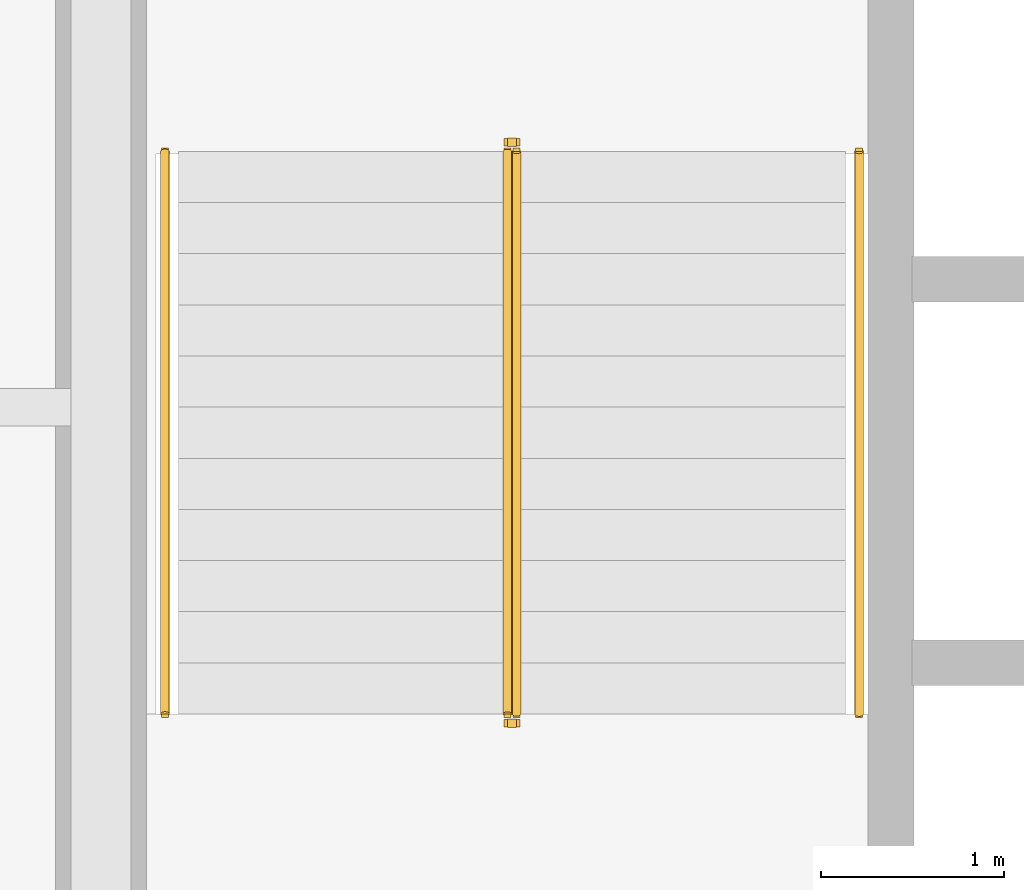
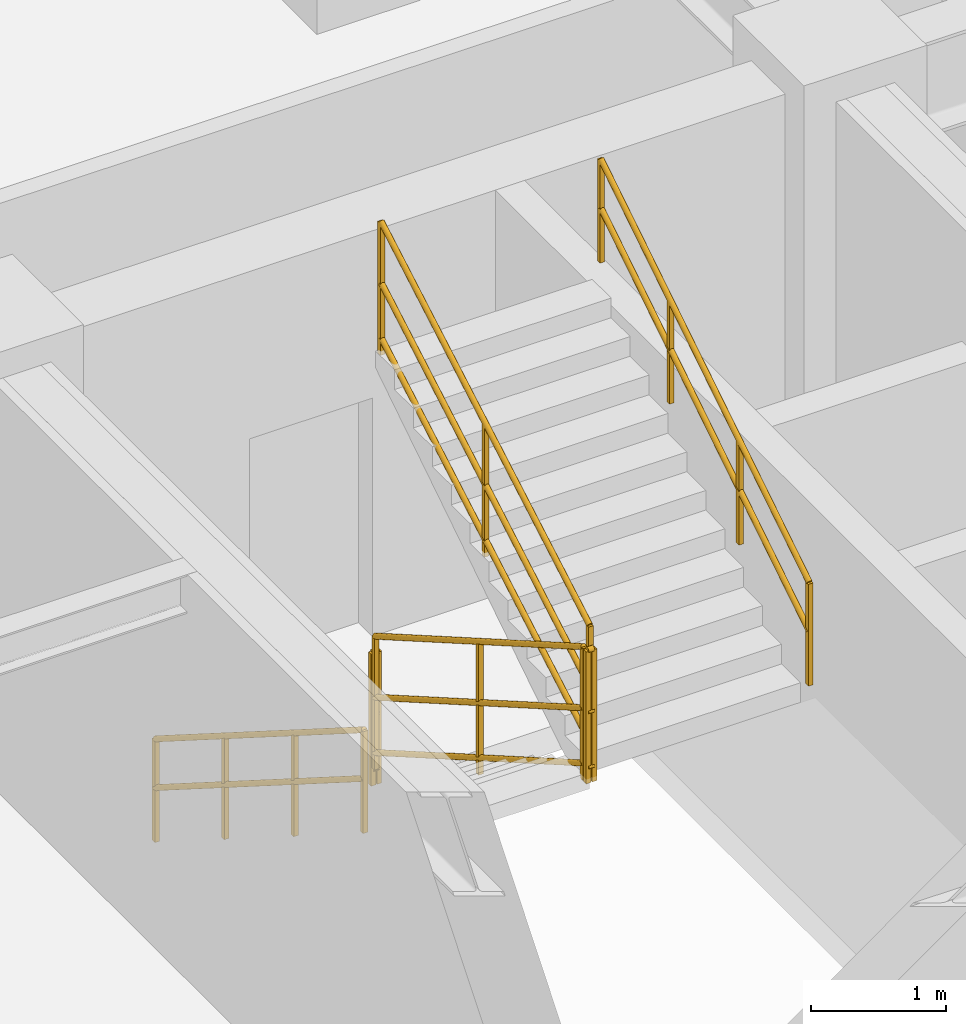
# One storey, part 9 of 9: 6 railings.
"""IFC4 building model written with IfcOpenShell, lengths in metres."""

from ifc_helpers import new_model, entity, si_unit, converted_unit, direction, frame, origin_with_axes, origin_2d_with_axis, place, context, subcontext, project, spatial, rectangle, circle, extrude, material, type_object, element, save


model = new_model("IFC4")

# Units and contexts
model_context = context("Model", 3, precision=1e-05, world=origin_with_axes(), true_north=direction((0.0, 1.0)))
body_context = subcontext(model_context, "Body", "Model", "MODEL_VIEW")
ifc_project = project(units=[si_unit("LENGTHUNIT", "METRE"), si_unit("AREAUNIT", "SQUARE_METRE"), si_unit("VOLUMEUNIT", "CUBIC_METRE"), converted_unit("PLANEANGLEUNIT", "DEGREE", entity("IfcPlaneAngleMeasure", 0.017453292519943295), si_unit("PLANEANGLEUNIT", "RADIAN"), dimensions=[0, 0, 0, 0, 0, 0, 0]), si_unit("MASSUNIT", "GRAM", prefix="KILO"), si_unit("THERMODYNAMICTEMPERATUREUNIT", "KELVIN")], contexts=[model_context])

# Site, building, storey
site_placement = place(None, origin_with_axes())
site = spatial("IfcSite", under=ifc_project, at=site_placement, CompositionType="ELEMENT")
building_placement = place(site_placement, origin_with_axes())
building = spatial("IfcBuilding", under=site, at=building_placement, Name="Varnlund Millrace Tower", CompositionType="ELEMENT")
storey_placement = place(building_placement, frame((0.0, 0.0, 132.9), z_axis=(0.0, 0.0, 1.0), x_axis=(1.0, 0.0, 0.0)))
storey = spatial("IfcBuildingStorey", under=building, at=storey_placement, Name="L32", CompositionType="ELEMENT", Elevation=132.9)

# Railings
ifc_material_1 = material(Name="Painted steel stair well balustrade guard", Category="steel")
railing_type_1 = type_object("IfcRailingType", Name="Type-StairGuard-1150", PredefinedType="GUARDRAIL", material=ifc_material_1)
railing_1_placement = place(storey_placement, frame((0.0, 0.0, -132.9), z_axis=(0.0, 0.0, 1.0), x_axis=(1.0, 0.0, 0.0)))
element("IfcRailing", 1, at=railing_1_placement, inside=storey, type_object=railing_type_1, Name="Type-StairGuard-1150", PredefinedType="GUARDRAIL", context=body_context, shape_type="SweptSolid", body=[
    extrude(circle(Radius=0.024, at=origin_2d_with_axis()), frame((13.625, 35.9, 134.227273), z_axis=(0.0, -0.866696, 0.498836), x_axis=(1.0, 0.0, 0.0)), (0.0, 0.0, 1.0), 3.553725),
    extrude(circle(Radius=0.024, at=origin_2d_with_axis()), frame((13.625, 35.9, 133.177273), z_axis=(0.0, -0.866696, 0.498836), x_axis=(1.0, 0.0, 0.0)), (0.0, 0.0, 1.0), 3.553725),
    extrude(circle(Radius=0.024, at=origin_2d_with_axis()), frame((13.625, 35.9, 133.675273), z_axis=(0.0, -0.866696, 0.498836), x_axis=(1.0, 0.0, 0.0)), (0.0, 0.0, 1.0), 3.553725),
    extrude(rectangle(XDim=0.04, YDim=0.04, at=origin_2d_with_axis()), frame((13.625, 35.9, 133.037273), z_axis=(0.0, 0.0, 1.0), x_axis=(1.0, 0.0, 0.0)), (0.0, 0.0, 1.0), 1.19),
    extrude(rectangle(XDim=0.04, YDim=0.04, at=origin_2d_with_axis()), frame((13.625, 34.36, 133.923637), z_axis=(0.0, 0.0, 1.0), x_axis=(1.0, 0.0, 0.0)), (0.0, 0.0, 1.0), 1.19),
    extrude(rectangle(XDim=0.04, YDim=0.04, at=origin_2d_with_axis()), frame((13.625, 32.82, 134.81), z_axis=(0.0, 0.0, 1.0), x_axis=(1.0, 0.0, 0.0)), (0.0, 0.0, 1.0), 1.19),
])
railing_2_placement = place(storey_placement, frame((0.0, 0.0, -132.9), z_axis=(0.0, 0.0, 1.0), x_axis=(1.0, 0.0, 0.0)))
element("IfcRailing", 2, at=railing_2_placement, inside=storey, type_object=railing_type_1, Name="Type-StairGuard-1150", PredefinedType="GUARDRAIL", context=body_context, shape_type="SweptSolid", body=[
    extrude(circle(Radius=0.024, at=origin_2d_with_axis()), frame((13.675, 32.77, 136.0), z_axis=(-1.0, 0.0, 0.0), x_axis=(0.0, -1.0, 0.0)), (0.0, 0.0, 1.0), 0.05),
    extrude(circle(Radius=0.024, at=origin_2d_with_axis()), frame((13.675, 32.77, 134.95), z_axis=(-1.0, 0.0, 0.0), x_axis=(0.0, -1.0, 0.0)), (0.0, 0.0, 1.0), 0.05),
    extrude(circle(Radius=0.024, at=origin_2d_with_axis()), frame((13.675, 32.77, 135.448), z_axis=(-1.0, 0.0, 0.0), x_axis=(0.0, -1.0, 0.0)), (0.0, 0.0, 1.0), 0.05),
    extrude(rectangle(XDim=0.04, YDim=0.04, at=origin_2d_with_axis()), frame((13.675, 32.77, 134.81), z_axis=(0.0, 0.0, 1.0), x_axis=(1.0, 0.0, 0.0)), (0.0, 0.0, 1.0), 1.19),
    extrude(rectangle(XDim=0.04, YDim=0.04, at=origin_2d_with_axis()), frame((13.625, 32.77, 134.81), z_axis=(0.0, 0.0, 1.0), x_axis=(1.0, 0.0, 0.0)), (0.0, 0.0, 1.0), 1.19),
])
railing_3_placement = place(storey_placement, frame((0.0, 0.0, -132.9), z_axis=(0.0, 0.0, 1.0), x_axis=(1.0, 0.0, 0.0)))
element("IfcRailing", 3, at=railing_3_placement, inside=storey, type_object=railing_type_1, Name="Type-StairGuard-1150", PredefinedType="GUARDRAIL", context=body_context, shape_type="SweptSolid", body=[
    extrude(circle(Radius=0.024, at=origin_2d_with_axis()), frame((13.675, 32.82, 136.177273), z_axis=(0.0, 0.866696, 0.498836), x_axis=(-1.0, 0.0, 0.0)), (0.0, 0.0, 1.0), 3.553725),
    extrude(circle(Radius=0.024, at=origin_2d_with_axis()), frame((13.675, 32.82, 135.127273), z_axis=(0.0, 0.866696, 0.498836), x_axis=(-1.0, 0.0, 0.0)), (0.0, 0.0, 1.0), 3.553725),
    extrude(circle(Radius=0.024, at=origin_2d_with_axis()), frame((13.675, 32.82, 135.625273), z_axis=(0.0, 0.866696, 0.498836), x_axis=(-1.0, 0.0, 0.0)), (0.0, 0.0, 1.0), 3.553725),
    extrude(rectangle(XDim=0.04, YDim=0.04, at=origin_2d_with_axis()), frame((13.675, 32.82, 134.987273), z_axis=(0.0, 0.0, 1.0), x_axis=(1.0, 0.0, 0.0)), (0.0, 0.0, 1.0), 1.19),
    extrude(rectangle(XDim=0.04, YDim=0.04, at=origin_2d_with_axis()), frame((13.675, 34.36, 135.873636), z_axis=(0.0, 0.0, 1.0), x_axis=(1.0, 0.0, 0.0)), (0.0, 0.0, 1.0), 1.19),
    extrude(rectangle(XDim=0.04, YDim=0.04, at=origin_2d_with_axis()), frame((13.675, 35.9, 136.76), z_axis=(0.0, 0.0, 1.0), x_axis=(1.0, 0.0, 0.0)), (0.0, 0.0, 1.0), 1.19),
])
railing_4_placement = place(storey_placement, frame((0.0, 0.0, -132.9), z_axis=(0.0, 0.0, 1.0), x_axis=(1.0, 0.0, 0.0)))
element("IfcRailing", 4, at=railing_4_placement, inside=storey, type_object=railing_type_1, Name="Type-StairGuard-1150", PredefinedType="GUARDRAIL", context=body_context, shape_type="SweptSolid", body=[
    extrude(circle(Radius=0.024, at=origin_2d_with_axis()), frame((13.675, 35.95, 134.05), z_axis=(-1.0, 0.0, 0.0), x_axis=(0.0, -1.0, 0.0)), (0.0, 0.0, 1.0), 0.05),
    extrude(circle(Radius=0.024, at=origin_2d_with_axis()), frame((13.675, 35.95, 133.0), z_axis=(-1.0, 0.0, 0.0), x_axis=(0.0, -1.0, 0.0)), (0.0, 0.0, 1.0), 0.05),
    extrude(circle(Radius=0.024, at=origin_2d_with_axis()), frame((13.675, 35.95, 133.498), z_axis=(-1.0, 0.0, 0.0), x_axis=(0.0, -1.0, 0.0)), (0.0, 0.0, 1.0), 0.05),
    extrude(rectangle(XDim=0.04, YDim=0.04, at=origin_2d_with_axis()), frame((13.675, 35.95, 132.86), z_axis=(0.0, 0.0, 1.0), x_axis=(1.0, 0.0, 0.0)), (0.0, 0.0, 1.0), 1.19),
    extrude(rectangle(XDim=0.04, YDim=0.04, at=origin_2d_with_axis()), frame((13.625, 35.95, 132.86), z_axis=(0.0, 0.0, 1.0), x_axis=(1.0, 0.0, 0.0)), (0.0, 0.0, 1.0), 1.19),
])
ifc_material_2 = material(Name="Brushed architectural bronze stair handrail", Category="aluminium")
railing_type_2 = type_object("IfcRailingType", Name="Type-StairHandrail-900", PredefinedType="HANDRAIL", material=ifc_material_2)
railing_5_placement = place(storey_placement, frame((0.0, 0.0, -132.9), z_axis=(0.0, 0.0, 1.0), x_axis=(1.0, 0.0, 0.0)))
element("IfcRailing", 5, at=railing_5_placement, inside=storey, type_object=railing_type_2, Name="Type-StairHandrail-900", PredefinedType="HANDRAIL", context=body_context, shape_type="SweptSolid", body=[
    extrude(circle(Radius=0.024, at=origin_2d_with_axis()), frame((11.75, 35.9, 133.956995), z_axis=(0.0, -0.844902, 0.534922), x_axis=(1.0, 0.0, 0.0)), (0.0, 0.0, 1.0), 3.645394),
    extrude(circle(Radius=0.024, at=origin_2d_with_axis()), frame((11.75, 35.9, 133.517134), z_axis=(0.0, -0.844902, 0.534922), x_axis=(1.0, 0.0, 0.0)), (0.0, 0.0, 1.0), 3.645394),
    extrude(rectangle(XDim=0.04, YDim=0.04, at=origin_2d_with_axis()), frame((11.75, 35.9, 133.037273), z_axis=(0.0, 0.0, 1.0), x_axis=(1.0, 0.0, 0.0)), (0.0, 0.0, 1.0), 0.919722),
    extrude(rectangle(XDim=0.04, YDim=0.04, at=origin_2d_with_axis()), frame((11.75, 34.873333, 133.687273), z_axis=(0.0, 0.0, 1.0), x_axis=(1.0, 0.0, 0.0)), (0.0, 0.0, 1.0), 0.919722),
    extrude(rectangle(XDim=0.04, YDim=0.04, at=origin_2d_with_axis()), frame((11.75, 33.846667, 134.337273), z_axis=(0.0, 0.0, 1.0), x_axis=(1.0, 0.0, 0.0)), (0.0, 0.0, 1.0), 0.919722),
    extrude(rectangle(XDim=0.04, YDim=0.04, at=origin_2d_with_axis()), frame((11.75, 32.82, 134.987273), z_axis=(0.0, 0.0, 1.0), x_axis=(1.0, 0.0, 0.0)), (0.0, 0.0, 1.0), 0.919722),
])
railing_6_placement = place(storey_placement, frame((0.0, 0.0, -132.9), z_axis=(0.0, 0.0, 1.0), x_axis=(1.0, 0.0, 0.0)))
element("IfcRailing", 6, at=railing_6_placement, inside=storey, type_object=railing_type_2, Name="Type-StairHandrail-900", PredefinedType="HANDRAIL", context=body_context, shape_type="SweptSolid", body=[
    extrude(circle(Radius=0.024, at=origin_2d_with_axis()), frame((15.55, 32.82, 135.906995), z_axis=(0.0, 0.844902, 0.534922), x_axis=(-1.0, 0.0, 0.0)), (0.0, 0.0, 1.0), 3.645394),
    extrude(circle(Radius=0.024, at=origin_2d_with_axis()), frame((15.55, 32.82, 135.467134), z_axis=(0.0, 0.844902, 0.534922), x_axis=(-1.0, 0.0, 0.0)), (0.0, 0.0, 1.0), 3.645394),
    extrude(rectangle(XDim=0.04, YDim=0.04, at=origin_2d_with_axis()), frame((15.55, 32.82, 134.987273), z_axis=(0.0, 0.0, 1.0), x_axis=(1.0, 0.0, 0.0)), (0.0, 0.0, 1.0), 0.919722),
    extrude(rectangle(XDim=0.04, YDim=0.04, at=origin_2d_with_axis()), frame((15.55, 33.846667, 135.637273), z_axis=(0.0, 0.0, 1.0), x_axis=(1.0, 0.0, 0.0)), (0.0, 0.0, 1.0), 0.919722),
    extrude(rectangle(XDim=0.04, YDim=0.04, at=origin_2d_with_axis()), frame((15.55, 34.873333, 136.287273), z_axis=(0.0, 0.0, 1.0), x_axis=(1.0, 0.0, 0.0)), (0.0, 0.0, 1.0), 0.919722),
    extrude(rectangle(XDim=0.04, YDim=0.04, at=origin_2d_with_axis()), frame((15.55, 35.9, 136.937273), z_axis=(0.0, 0.0, 1.0), x_axis=(1.0, 0.0, 0.0)), (0.0, 0.0, 1.0), 0.919722),
])

save(model, "model.ifc")
